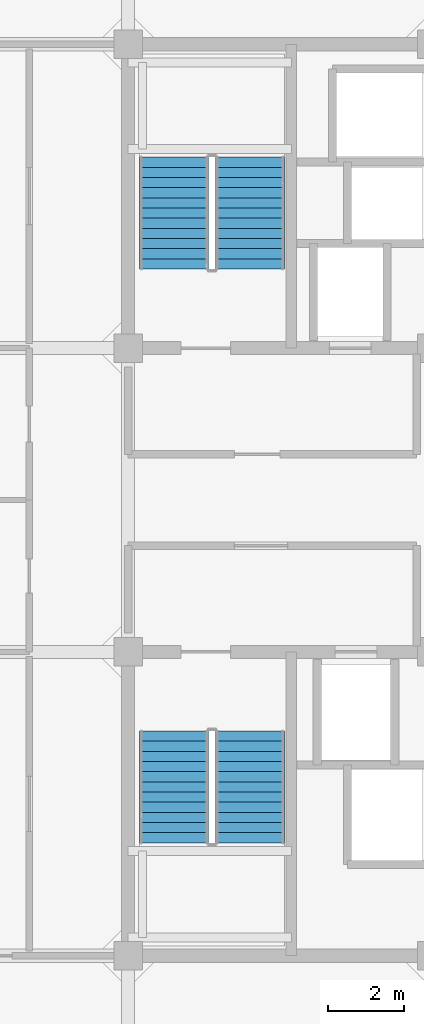
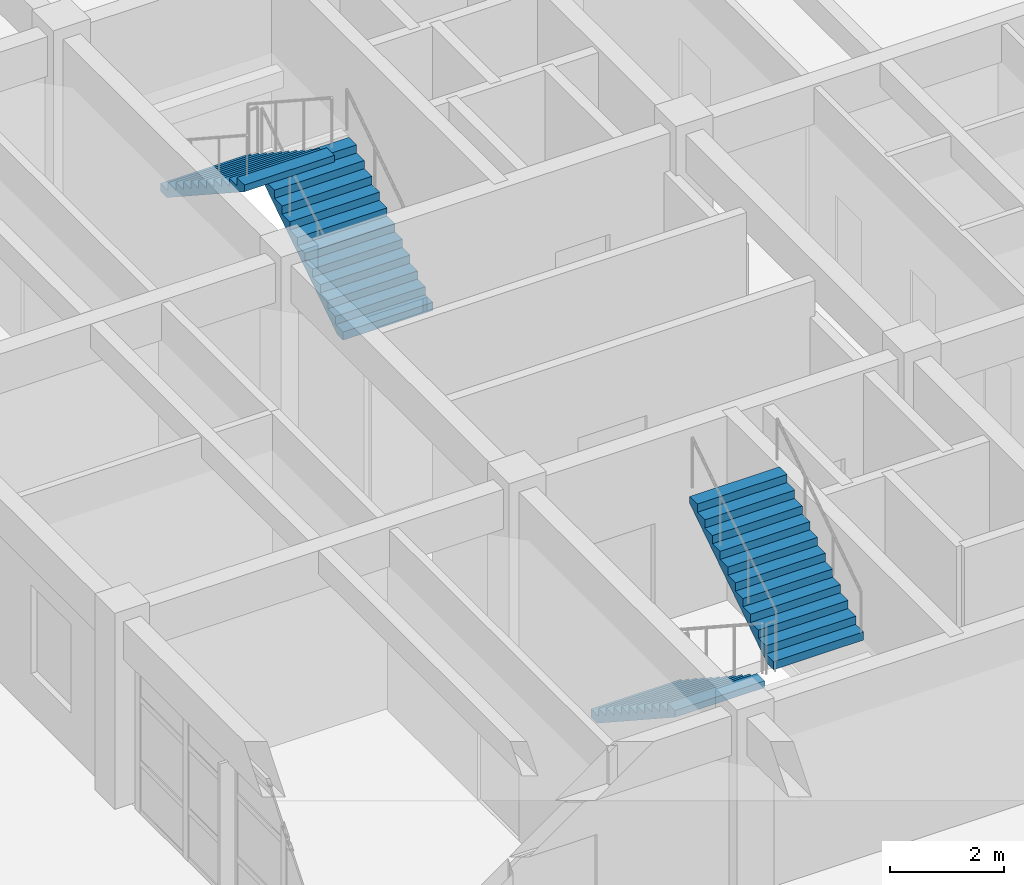
# One storey, part 21 of 25: 4 stair flights, 2 elements without a shape of their own.
"""IFC4 building model written with IfcOpenShell, lengths in metres."""

from ifc_helpers import new_model, si_unit, direction, frame, origin, place, context, subcontext, project, spatial, polyline, outline, extrude, material, type_object, element, aggregate, save


model = new_model("IFC4")

# Units and contexts
model_context = context("Model", 3, precision=1e-05, world=origin(), true_north=direction((0.0, 1.0)))
body_context = subcontext(model_context, "Body", "Model", "MODEL_VIEW")
ifc_project = project(units=[si_unit("LENGTHUNIT", "METRE"), si_unit("AREAUNIT", "SQUARE_METRE"), si_unit("VOLUMEUNIT", "CUBIC_METRE"), si_unit("PLANEANGLEUNIT", "RADIAN"), si_unit("MASSUNIT", "GRAM", prefix="KILO")], contexts=[model_context])

# Site, building, storey
site_placement = place(None, origin())
site = spatial("IfcSite", under=ifc_project, at=site_placement, CompositionType="ELEMENT")
building_placement = place(site_placement, origin())
building = spatial("IfcBuilding", under=site, at=building_placement, Name="Canggui Botanical Conservatory", CompositionType="ELEMENT")
storey_placement = place(building_placement, frame((0.0, 0.0, 40.199951171875)))
storey = spatial("IfcBuildingStorey", under=building, at=storey_placement, Name="L10", CompositionType="ELEMENT", Elevation=40.199951171875)

# Stair, stair flights
ifc_material = material(Name="Concrete C35", Category="concrete")
stair_type = type_object("IfcStairType", Name="STR-TYPE-6", PredefinedType="HALF_TURN_STAIR", material=ifc_material)
stair_1_placement = place(storey_placement, origin())
stair_1 = element("IfcStair", 1, at=stair_1_placement, inside=storey, type_object=stair_type, Name="L10 Tower South Smoke-Proof Stair ST-T1", PredefinedType="HALF_TURN_STAIR")
stair_flight_type = type_object("IfcStairFlightType", Name="SFL-TYPE-6", PredefinedType="STRAIGHT", material=ifc_material)
stair_flight_1_placement = place(storey_placement, frame((155.2099609375, 47.919921875, 0.0), z_axis=(0.0, 0.0, 1.0), x_axis=(0.0, -1.0, 0.0)))
stair_flight_1 = element("IfcStairFlight", 2, at=stair_flight_1_placement, type_object=stair_flight_type, Name="ST-T1 flight 1", NumberOfRisers=12, NumberOfTreads=11, PredefinedType="STRAIGHT", RiserHeight=0.175, TreadLength=0.268, context=body_context, shape_type="SweptSolid", body=[
    extrude(outline(polyline([(0.0, 0.0), (0.0, 0.175048828125), (0.26806640625, 0.175048828125), (0.26806640625, 0.35009765625), (0.535888671875, 0.35009765625), (0.535888671875, 0.52490234375), (0.803955078125, 0.52490234375), (0.803955078125, 0.699951171875), (1.072021484375, 0.699951171875), (1.072021484375, 0.875), (1.340087890625, 0.875), (1.340087890625, 1.050048828125), (1.60791015625, 1.050048828125), (1.60791015625, 1.22509765625), (1.8759765625, 1.22509765625), (1.8759765625, 1.39990234375), (2.14404296875, 1.39990234375), (2.14404296875, 1.574951171875), (2.412109375, 1.574951171875), (2.412109375, 1.75), (2.679931640625, 1.75), (2.679931640625, 1.925048828125), (2.947998046875, 1.925048828125), (2.947998046875, 2.10009765625), (2.947998046875, 1.781494140625), (0.2197265625, 0.0), (0.0, 0.0)])), frame((0.0, 0.91015625, 0.0), z_axis=(0.0, -1.0, 0.0), x_axis=(1.0, 0.0, 0.0)), (0.0, 0.0, 1.0), 1.820068359375),
])
stair_flight_2_placement = place(storey_placement, frame((157.2099609375, 44.971923828125, 2.10009765625), z_axis=(0.0, 0.0, 1.0), x_axis=(0.0, 1.0, 0.0)))
stair_flight_2 = element("IfcStairFlight", 3, at=stair_flight_2_placement, type_object=stair_flight_type, Name="ST-T1 flight 2", NumberOfRisers=12, NumberOfTreads=11, PredefinedType="STRAIGHT", RiserHeight=0.175, TreadLength=0.268, context=body_context, shape_type="SweptSolid", body=[
    extrude(outline(polyline([(0.0, 0.0), (0.0, 0.175048828125), (0.26806640625, 0.175048828125), (0.26806640625, 0.35009765625), (0.535888671875, 0.35009765625), (0.535888671875, 0.52490234375), (0.803955078125, 0.52490234375), (0.803955078125, 0.699951171875), (1.072021484375, 0.699951171875), (1.072021484375, 0.875), (1.340087890625, 0.875), (1.340087890625, 1.050048828125), (1.60791015625, 1.050048828125), (1.60791015625, 1.22509765625), (1.8759765625, 1.22509765625), (1.8759765625, 1.39990234375), (2.14404296875, 1.39990234375), (2.14404296875, 1.574951171875), (2.412109375, 1.574951171875), (2.412109375, 1.75), (2.679931640625, 1.75), (2.679931640625, 1.925048828125), (2.947998046875, 1.925048828125), (2.947998046875, 2.10009765625), (2.947998046875, 1.781494140625), (0.2197265625, 0.0), (0.0, 0.0)])), frame((0.0, 0.91015625, 0.0), z_axis=(0.0, -1.0, 0.0), x_axis=(1.0, 0.0, 0.0)), (0.0, 0.0, 1.0), 1.820068359375),
])
aggregate(stair_1, [stair_flight_1, stair_flight_2])

stair_2_placement = place(storey_placement, origin())
stair_2 = element("IfcStair", 4, at=stair_2_placement, inside=storey, type_object=stair_type, Name="L10 Tower North Smoke-Proof Stair ST-T2", PredefinedType="HALF_TURN_STAIR")
stair_flight_3_placement = place(storey_placement, frame((157.2099609375, 60.080078125, 0.0), z_axis=(0.0, 0.0, 1.0), x_axis=(0.0, 1.0, 0.0)))
stair_flight_3 = element("IfcStairFlight", 5, at=stair_flight_3_placement, type_object=stair_flight_type, Name="ST-T2 flight 1", NumberOfRisers=12, NumberOfTreads=11, PredefinedType="STRAIGHT", RiserHeight=0.175, TreadLength=0.268, context=body_context, shape_type="SweptSolid", body=[
    extrude(outline(polyline([(0.0, 0.0), (0.0, 0.175048828125), (0.26806640625, 0.175048828125), (0.26806640625, 0.35009765625), (0.535888671875, 0.35009765625), (0.535888671875, 0.52490234375), (0.803955078125, 0.52490234375), (0.803955078125, 0.699951171875), (1.072021484375, 0.699951171875), (1.072021484375, 0.875), (1.340087890625, 0.875), (1.340087890625, 1.050048828125), (1.60791015625, 1.050048828125), (1.60791015625, 1.22509765625), (1.8759765625, 1.22509765625), (1.8759765625, 1.39990234375), (2.14404296875, 1.39990234375), (2.14404296875, 1.574951171875), (2.412109375, 1.574951171875), (2.412109375, 1.75), (2.679931640625, 1.75), (2.679931640625, 1.925048828125), (2.947998046875, 1.925048828125), (2.947998046875, 2.10009765625), (2.947998046875, 1.781494140625), (0.2197265625, 0.0), (0.0, 0.0)])), frame((0.0, 0.91015625, 0.0), z_axis=(0.0, -1.0, 0.0), x_axis=(1.0, 0.0, 0.0)), (0.0, 0.0, 1.0), 1.820068359375),
])
stair_flight_4_placement = place(storey_placement, frame((155.2099609375, 63.028076171875, 2.10009765625), z_axis=(0.0, 0.0, 1.0), x_axis=(0.0, -1.0, 0.0)))
stair_flight_4 = element("IfcStairFlight", 6, at=stair_flight_4_placement, type_object=stair_flight_type, Name="ST-T2 flight 2", NumberOfRisers=12, NumberOfTreads=11, PredefinedType="STRAIGHT", RiserHeight=0.175, TreadLength=0.268, context=body_context, shape_type="SweptSolid", body=[
    extrude(outline(polyline([(0.0, 0.0), (0.0, 0.175048828125), (0.26806640625, 0.175048828125), (0.26806640625, 0.35009765625), (0.535888671875, 0.35009765625), (0.535888671875, 0.52490234375), (0.803955078125, 0.52490234375), (0.803955078125, 0.699951171875), (1.072021484375, 0.699951171875), (1.072021484375, 0.875), (1.340087890625, 0.875), (1.340087890625, 1.050048828125), (1.60791015625, 1.050048828125), (1.60791015625, 1.22509765625), (1.8759765625, 1.22509765625), (1.8759765625, 1.39990234375), (2.14404296875, 1.39990234375), (2.14404296875, 1.574951171875), (2.412109375, 1.574951171875), (2.412109375, 1.75), (2.679931640625, 1.75), (2.679931640625, 1.925048828125), (2.947998046875, 1.925048828125), (2.947998046875, 2.10009765625), (2.947998046875, 1.781494140625), (0.2197265625, 0.0), (0.0, 0.0)])), frame((0.0, 0.91015625, 0.0), z_axis=(0.0, -1.0, 0.0), x_axis=(1.0, 0.0, 0.0)), (0.0, 0.0, 1.0), 1.820068359375),
])
aggregate(stair_2, [stair_flight_3, stair_flight_4])

save(model, "model.ifc")
